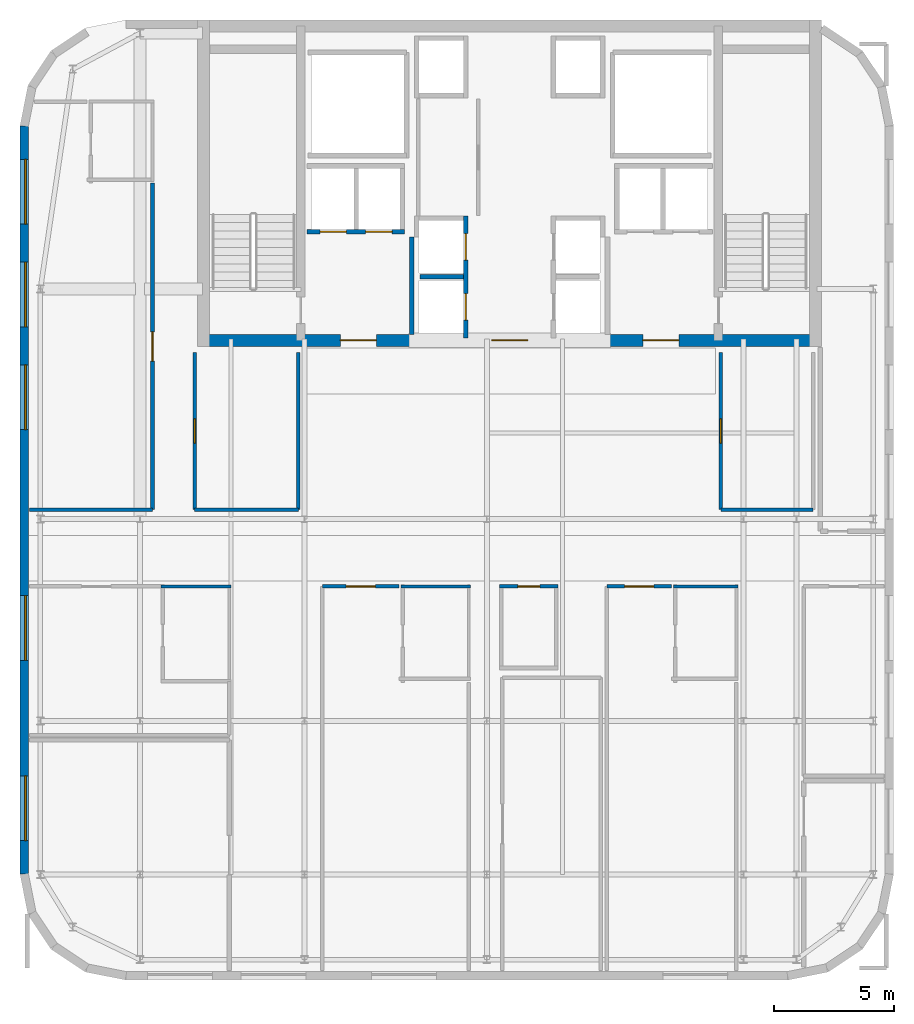
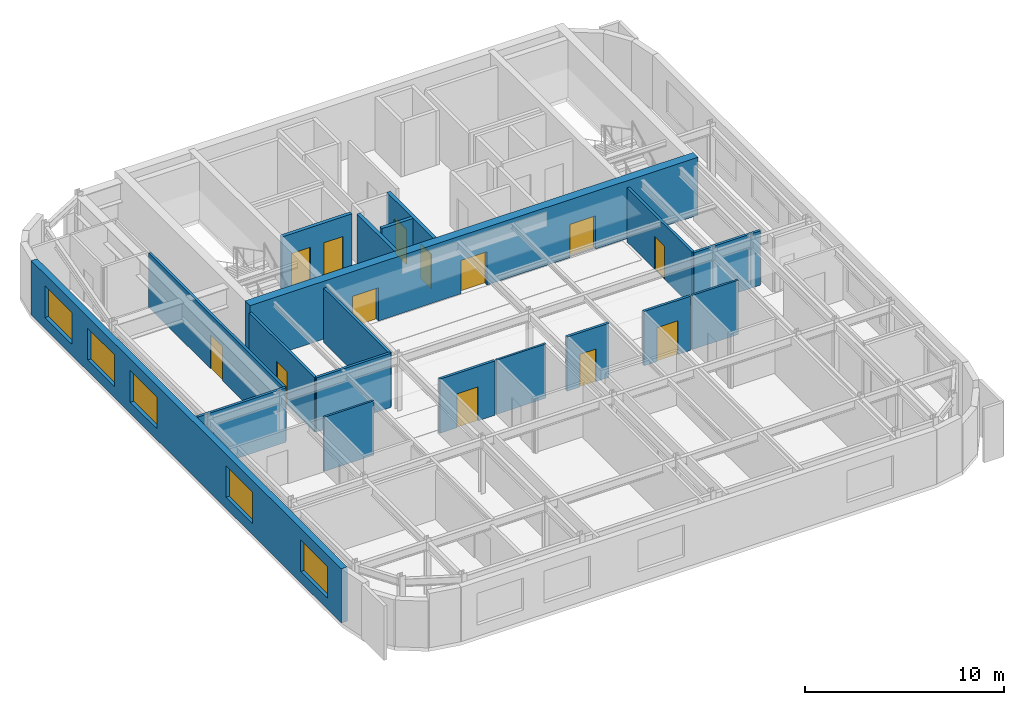
# One storey, part 7 of 12: 19 walls, 13 doors, 5 windows, 18 openings.
"""IFC4 building model written with IfcOpenShell, lengths in metres."""

from ifc_helpers import new_model, si_unit, direction, frame, frame_2d, origin, place, context, subcontext, project, spatial, rectangle, extrude, source, transform, mapped, material, layer, layer_set, type_object, type_shapes, element, fill, save


model = new_model("IFC4")

# Units and contexts
model_context = context("Model", 3, precision=1e-05, world=origin(), true_north=direction((0.0, 1.0)))
body_context = subcontext(model_context, "Body", "Model", "MODEL_VIEW")
ifc_project = project(units=[si_unit("LENGTHUNIT", "METRE"), si_unit("AREAUNIT", "SQUARE_METRE"), si_unit("VOLUMEUNIT", "CUBIC_METRE"), si_unit("PLANEANGLEUNIT", "RADIAN"), si_unit("MASSUNIT", "GRAM", prefix="KILO")], contexts=[model_context])

# Site, building, storey
site_placement = place(None, origin())
site = spatial("IfcSite", under=ifc_project, at=site_placement, CompositionType="ELEMENT")
building_placement = place(site_placement, origin())
building = spatial("IfcBuilding", under=site, at=building_placement, Name="Tolvann Quenvar Hotel", CompositionType="ELEMENT")
storey_placement = place(building_placement, frame((0.0, 0.0, 275.050048828125)))
storey = spatial("IfcBuildingStorey", under=building, at=storey_placement, Name="L73", CompositionType="ELEMENT", Elevation=275.050048828125)

# Wall, openings, doors
ifc_material_1 = material(Name="Concrete N50 (50 MPa)", Category="concrete")
ifc_layer_1 = layer(ifc_material_1, 0.5)
ifc_layer_set_1 = layer_set([ifc_layer_1], Name="Concrete N50 (50 MPa)")
wall_type_1 = type_object("IfcWallType", Name="WALL_CORE_500", PredefinedType="SHEAR", material=ifc_layer_set_1)
wall_1_placement = place(storey_placement, frame((10.0, 31.85009765625, 0.0), z_axis=(0.0, 0.0, 1.0), x_axis=(1.0, 0.0, 0.0)))
wall_1 = element("IfcWall", 1, at=wall_1_placement, inside=storey, type_object=wall_type_1, Name="Rear Core S Shear Wall (L73)", PredefinedType="SHEAR", context=body_context, shape_type="SweptSolid", body=[
    extrude(rectangle(XDim=26.0, YDim=0.5, at=frame_2d((13.0, 0.0))), origin(), (0.0, 0.0, 1.0), 3.550048828125),
])
opening_1_placement = place(wall_1_placement, frame((7.449951171875, 0.0, 0.0), z_axis=(0.0, 0.0, 1.0), x_axis=(-1.0, 0.0, 0.0)))
opening_1 = element("IfcOpeningElement", 2, at=opening_1_placement, cuts=wall_1, Name="Opening FD-60D", PredefinedType="OPENING", context=body_context, shape_type="SweptSolid", body=[
    extrude(rectangle(XDim=1.5, YDim=2.0400390625, at=frame_2d((0.75, 1.02001953125))), frame((0.0, 0.260009765625, 0.0), z_axis=(0.0, -1.0, 0.0), x_axis=(1.0, 0.0, 0.0)), (0.0, 0.0, 1.0), 0.52001953125),
])
opening_2_placement = place(wall_1_placement, frame((13.75, 0.0, 0.0), z_axis=(0.0, 0.0, 1.0), x_axis=(-1.0, 0.0, 0.0)))
opening_2 = element("IfcOpeningElement", 3, at=opening_2_placement, cuts=wall_1, Name="Opening FD-60D", PredefinedType="OPENING", context=body_context, shape_type="SweptSolid", body=[
    extrude(rectangle(XDim=1.5, YDim=2.0400390625, at=frame_2d((0.75, 1.02001953125))), frame((0.0, 0.260009765625, 0.0), z_axis=(0.0, -1.0, 0.0), x_axis=(1.0, 0.0, 0.0)), (0.0, 0.0, 1.0), 0.52001953125),
])
opening_3_placement = place(wall_1_placement, frame((20.050048828125, 0.0, 0.0), z_axis=(0.0, 0.0, 1.0), x_axis=(-1.0, 0.0, 0.0)))
opening_3 = element("IfcOpeningElement", 4, at=opening_3_placement, cuts=wall_1, Name="Opening FD-60D", PredefinedType="OPENING", context=body_context, shape_type="SweptSolid", body=[
    extrude(rectangle(XDim=1.5, YDim=2.0400390625, at=frame_2d((0.75, 1.02001953125))), frame((0.0, 0.260009765625, 0.0), z_axis=(0.0, -1.0, 0.0), x_axis=(1.0, 0.0, 0.0)), (0.0, 0.0, 1.0), 0.52001953125),
])
ifc_material_2 = material(Name="Solid-core American oak acoustic fire door leaf in steel frame", Category="steel")
door_type_1 = type_object("IfcDoorType", Name="DOOR_FIRE_LOBBY_1500", OperationType="NOTDEFINED", PredefinedType="DOOR", material=ifc_material_2)
shared_shape_1 = source(origin(), body_context, "Body", "SweptSolid", [
    extrude(rectangle(XDim=1.5, YDim=2.0400390625, at=frame_2d((0.75, 1.02001953125))), frame((0.0, 0.02490234375, 0.0), z_axis=(0.0, -1.0, 0.0), x_axis=(1.0, 0.0, 0.0)), (0.0, 0.0, 1.0), 0.050048828125),
])
type_shapes(door_type_1, [shared_shape_1])
door_1_placement = place(opening_1_placement, origin())
door_1 = element("IfcDoor", 5, at=door_1_placement, inside=storey, type_object=door_type_1, Name="Core Lobby Fire Door FFW (L73)", OperationType="DOUBLE_DOOR_SINGLE_SWING", OverallHeight=2.0400390625, OverallWidth=1.5, PredefinedType="DOOR", context=body_context, shape_type="MappedRepresentation", body=[
    mapped(shared_shape_1, transform((0.0, 0.0, 0.0), x_axis=(1.0, 0.0, 0.0), y_axis=(0.0, 1.0, 0.0), z_axis=(0.0, 0.0, 1.0), scale=1.0)),
])
fill(opening_1, door_1)
door_2_placement = place(opening_2_placement, origin())
door_2 = element("IfcDoor", 6, at=door_2_placement, inside=storey, type_object=door_type_1, Name="Core Lobby Fire Door CLOB (L73)", OperationType="DOUBLE_DOOR_SINGLE_SWING", OverallHeight=2.0400390625, OverallWidth=1.5, PredefinedType="DOOR", context=body_context, shape_type="MappedRepresentation", body=[
    mapped(shared_shape_1, transform((0.0, 0.0, 0.0), x_axis=(1.0, 0.0, 0.0), y_axis=(0.0, 1.0, 0.0), z_axis=(0.0, 0.0, 1.0), scale=1.0)),
])
fill(opening_2, door_2)
door_3_placement = place(opening_3_placement, origin())
door_3 = element("IfcDoor", 7, at=door_3_placement, inside=storey, type_object=door_type_1, Name="Core Lobby Fire Door FFE (L73)", OperationType="DOUBLE_DOOR_SINGLE_SWING", OverallHeight=2.0400390625, OverallWidth=1.5, PredefinedType="DOOR", context=body_context, shape_type="MappedRepresentation", body=[
    mapped(shared_shape_1, transform((0.0, 0.0, 0.0), x_axis=(1.0, 0.0, 0.0), y_axis=(0.0, 1.0, 0.0), z_axis=(0.0, 0.0, 1.0), scale=1.0)),
])
fill(opening_3, door_3)

# Wall, openings, windows
ifc_material_3 = material(Name="Kiln-fired red and buff architectural clay brickwork and terracotta masonry", Category="masonry")
ifc_layer_2 = layer(ifc_material_3, 0.35009765625)
ifc_layer_set_2 = layer_set([ifc_layer_2], Name="Kiln-fired red and buff architectural clay brickwork and terracotta masonry")
wall_type_2 = type_object("IfcWallType", Name="WALL_EXT_BRICK_350", PredefinedType="SOLIDWALL", material=ifc_layer_set_2)
wall_2_placement = place(storey_placement, frame((2.77490234375, 40.78271484375, 0.0), z_axis=(0.0, 0.0, 1.0), x_axis=(0.0, -1.0, 0.0)))
wall_2 = element("IfcWall", 8, at=wall_2_placement, inside=storey, type_object=wall_type_2, Name="Exterior Chicago Brick Wall L73-E19", PredefinedType="SOLIDWALL", context=body_context, shape_type="SweptSolid", body=[
    extrude(rectangle(XDim=31.16552734375, YDim=0.35009765625, at=frame_2d((15.582763671875, 0.0))), origin(), (0.0, 0.0, 1.0), 3.329833984375),
])
opening_4_placement = place(wall_2_placement, frame((1.389892578125, 0.0, 0.679931640625)))
opening_4 = element("IfcOpeningElement", 9, at=opening_4_placement, cuts=wall_2, Name="Opening W-04", PredefinedType="OPENING", context=body_context, shape_type="SweptSolid", body=[
    extrude(rectangle(XDim=2.699951171875, YDim=1.949951171875, at=frame_2d((1.35009765625, 0.97509765625))), frame((0.0, 0.18505859375, 0.0), z_axis=(0.0, -1.0, 0.0), x_axis=(1.0, 0.0, 0.0)), (0.0, 0.0, 1.0), 0.3701171875),
])
opening_5_placement = place(wall_2_placement, frame((5.6708984375, 0.0, 0.679931640625)))
opening_5 = element("IfcOpeningElement", 10, at=opening_5_placement, cuts=wall_2, Name="Opening W-04", PredefinedType="OPENING", context=body_context, shape_type="SweptSolid", body=[
    extrude(rectangle(XDim=2.699951171875, YDim=1.949951171875, at=frame_2d((1.35009765625, 0.97509765625))), frame((0.0, 0.18505859375, 0.0), z_axis=(0.0, -1.0, 0.0), x_axis=(1.0, 0.0, 0.0)), (0.0, 0.0, 1.0), 0.3701171875),
])
opening_6_placement = place(wall_2_placement, frame((9.951904296875, 0.0, 0.679931640625)))
opening_6 = element("IfcOpeningElement", 11, at=opening_6_placement, cuts=wall_2, Name="Opening W-04", PredefinedType="OPENING", context=body_context, shape_type="SweptSolid", body=[
    extrude(rectangle(XDim=2.699951171875, YDim=1.949951171875, at=frame_2d((1.35009765625, 0.97509765625))), frame((0.0, 0.18505859375, 0.0), z_axis=(0.0, -1.0, 0.0), x_axis=(1.0, 0.0, 0.0)), (0.0, 0.0, 1.0), 0.3701171875),
])
opening_7_placement = place(wall_2_placement, frame((19.56396484375, 0.0, 0.679931640625)))
opening_7 = element("IfcOpeningElement", 12, at=opening_7_placement, cuts=wall_2, Name="Opening W-04", PredefinedType="OPENING", context=body_context, shape_type="SweptSolid", body=[
    extrude(rectangle(XDim=2.699951171875, YDim=1.949951171875, at=frame_2d((1.35009765625, 0.97509765625))), frame((0.0, 0.18505859375, 0.0), z_axis=(0.0, -1.0, 0.0), x_axis=(1.0, 0.0, 0.0)), (0.0, 0.0, 1.0), 0.3701171875),
])
opening_8_placement = place(wall_2_placement, frame((27.074951171875, 0.0, 0.679931640625)))
opening_8 = element("IfcOpeningElement", 13, at=opening_8_placement, cuts=wall_2, Name="Opening W-04", PredefinedType="OPENING", context=body_context, shape_type="SweptSolid", body=[
    extrude(rectangle(XDim=2.699951171875, YDim=1.949951171875, at=frame_2d((1.35009765625, 0.97509765625))), frame((0.0, 0.18505859375, 0.0), z_axis=(0.0, -1.0, 0.0), x_axis=(1.0, 0.0, 0.0)), (0.0, 0.0, 1.0), 0.3701171875),
])
ifc_material_4 = material(Name="Thermally broken bronze-anodised aluminium frame with double low-E glazing", Category="aluminium")
window_type = type_object("IfcWindowType", Name="WIN_STE_2700x2150", PartitioningType="TRIPLE_PANEL_HORIZONTAL", PredefinedType="WINDOW", material=ifc_material_4)
shared_shape_2 = source(origin(), body_context, "Body", "SweptSolid", [
    extrude(rectangle(XDim=2.699951171875, YDim=1.949951171875, at=frame_2d((1.35009765625, 0.97509765625))), frame((0.0, 0.090087890625, 0.0), z_axis=(0.0, -1.0, 0.0), x_axis=(1.0, 0.0, 0.0)), (0.0, 0.0, 1.0), 0.06005859375),
])
type_shapes(window_type, [shared_shape_2])
window_1_placement = place(opening_4_placement, origin())
window_1 = element("IfcWindow", 14, at=window_1_placement, inside=storey, type_object=window_type, Name="Chicago Window W-04 (EW-L73-E19-W01)", OverallHeight=1.949951171875, OverallWidth=2.699951171875, PartitioningType="TRIPLE_PANEL_HORIZONTAL", PredefinedType="WINDOW", context=body_context, shape_type="MappedRepresentation", body=[
    mapped(shared_shape_2, transform((0.0, 0.0, 0.0), x_axis=(1.0, 0.0, 0.0), y_axis=(0.0, 1.0, 0.0), z_axis=(0.0, 0.0, 1.0), scale=1.0)),
])
fill(opening_4, window_1)
window_2_placement = place(opening_5_placement, origin())
window_2 = element("IfcWindow", 15, at=window_2_placement, inside=storey, type_object=window_type, Name="Chicago Window W-04 (EW-L73-E19-W02)", OverallHeight=1.949951171875, OverallWidth=2.699951171875, PartitioningType="TRIPLE_PANEL_HORIZONTAL", PredefinedType="WINDOW", context=body_context, shape_type="MappedRepresentation", body=[
    mapped(shared_shape_2, transform((0.0, 0.0, 0.0), x_axis=(1.0, 0.0, 0.0), y_axis=(0.0, 1.0, 0.0), z_axis=(0.0, 0.0, 1.0), scale=1.0)),
])
fill(opening_5, window_2)
window_3_placement = place(opening_6_placement, origin())
window_3 = element("IfcWindow", 16, at=window_3_placement, inside=storey, type_object=window_type, Name="Chicago Window W-04 (EW-L73-E19-W03)", OverallHeight=1.949951171875, OverallWidth=2.699951171875, PartitioningType="TRIPLE_PANEL_HORIZONTAL", PredefinedType="WINDOW", context=body_context, shape_type="MappedRepresentation", body=[
    mapped(shared_shape_2, transform((0.0, 0.0, 0.0), x_axis=(1.0, 0.0, 0.0), y_axis=(0.0, 1.0, 0.0), z_axis=(0.0, 0.0, 1.0), scale=1.0)),
])
fill(opening_6, window_3)
window_4_placement = place(opening_7_placement, origin())
window_4 = element("IfcWindow", 17, at=window_4_placement, inside=storey, type_object=window_type, Name="Chicago Window W-04 (EW-L73-E19-W04)", OverallHeight=1.949951171875, OverallWidth=2.699951171875, PartitioningType="TRIPLE_PANEL_HORIZONTAL", PredefinedType="WINDOW", context=body_context, shape_type="MappedRepresentation", body=[
    mapped(shared_shape_2, transform((0.0, 0.0, 0.0), x_axis=(1.0, 0.0, 0.0), y_axis=(0.0, 1.0, 0.0), z_axis=(0.0, 0.0, 1.0), scale=1.0)),
])
fill(opening_7, window_4)
window_5_placement = place(opening_8_placement, origin())
window_5 = element("IfcWindow", 18, at=window_5_placement, inside=storey, type_object=window_type, Name="Chicago Window W-04 (EW-L73-E19-W05)", OverallHeight=1.949951171875, OverallWidth=2.699951171875, PartitioningType="TRIPLE_PANEL_HORIZONTAL", PredefinedType="WINDOW", context=body_context, shape_type="MappedRepresentation", body=[
    mapped(shared_shape_2, transform((0.0, 0.0, 0.0), x_axis=(1.0, 0.0, 0.0), y_axis=(0.0, 1.0, 0.0), z_axis=(0.0, 0.0, 1.0), scale=1.0)),
])
fill(opening_8, window_5)

# Walls
ifc_material_5 = material(Name="Moisture-resistant acoustic plumbing wall assembly")
ifc_layer_3 = layer(ifc_material_5, 0.1201171875)
ifc_layer_set_3 = layer_set([ifc_layer_3], Name="Moisture-resistant acoustic plumbing wall assembly")
wall_type_3 = type_object("IfcWallType", Name="WALL_PART_BATH_120", PredefinedType="PLUMBINGWALL", material=ifc_layer_set_3)
wall_3_placement = place(storey_placement, frame((8.47998046875, 21.60009765625, 0.0), z_axis=(0.0, 0.0, 1.0), x_axis=(1.0, 0.0, 0.0)))
element("IfcWall", 19, at=wall_3_placement, inside=storey, type_object=wall_type_3, Name="Non-Rated Plumbing Partition PT-SPC-L73-PSW-ENS-N", PredefinedType="PLUMBINGWALL", context=body_context, shape_type="SweptSolid", body=[
    extrude(rectangle(XDim=2.909912109375, YDim=0.1201171875, at=frame_2d((1.455078125, 0.0))), origin(), (0.0, 0.0, 1.0), 3.329833984375),
])
wall_4_placement = place(storey_placement, frame((18.47998046875, 21.60009765625, 0.0), z_axis=(0.0, 0.0, 1.0), x_axis=(1.0, 0.0, 0.0)))
element("IfcWall", 20, at=wall_4_placement, inside=storey, type_object=wall_type_3, Name="Non-Rated Plumbing Partition PT-SPC-L73-PRC-ENS-N", PredefinedType="PLUMBINGWALL", context=body_context, shape_type="SweptSolid", body=[
    extrude(rectangle(XDim=2.89013671875, YDim=0.1201171875, at=frame_2d((1.445068359375, 0.0))), origin(), (0.0, 0.0, 1.0), 3.329833984375),
])
wall_5_placement = place(storey_placement, frame((29.830078125, 21.60009765625, 0.0), z_axis=(0.0, 0.0, 1.0), x_axis=(1.0, 0.0, 0.0)))
element("IfcWall", 21, at=wall_5_placement, inside=storey, type_object=wall_type_3, Name="Non-Rated Plumbing Partition PT-SPC-L73-PSE-ENS-N", PredefinedType="PLUMBINGWALL", context=body_context, shape_type="SweptSolid", body=[
    extrude(rectangle(XDim=2.68994140625, YDim=0.1201171875, at=frame_2d((1.344970703125, 0.0))), origin(), (0.0, 0.0, 1.0), 3.329833984375),
])

# Wall, opening, door
ifc_material_6 = material(Name="Acoustic twin-stud fire-rated gypsum plasterboard partition")
ifc_layer_4 = layer(ifc_material_6, 0.14990234375)
ifc_layer_set_4 = layer_set([ifc_layer_4], Name="Acoustic twin-stud fire-rated gypsum plasterboard partition")
wall_type_4 = type_object("IfcWallType", Name="WALL_PART_SUITE_150", PredefinedType="PARTITIONING", material=ifc_layer_set_4)
wall_6_placement = place(storey_placement, frame((15.199951171875, 21.60009765625, 0.0), z_axis=(0.0, 0.0, 1.0), x_axis=(1.0, 0.0, 0.0)))
wall_6 = element("IfcWall", 22, at=wall_6_placement, inside=storey, type_object=wall_type_4, Name="Interior Partition PT-SPC-L73-PRC-LIV-ENT", PredefinedType="PARTITIONING", context=body_context, shape_type="SweptSolid", body=[
    extrude(rectangle(XDim=3.199951171875, YDim=0.14990234375, at=frame_2d((1.60009765625, 0.0))), origin(), (0.0, 0.0, 1.0), 3.329833984375),
])
opening_9_placement = place(wall_6_placement, frame((0.989990234375, 0.0, 0.0)))
opening_9 = element("IfcOpeningElement", 23, at=opening_9_placement, cuts=wall_6, Name="Opening SD-02", PredefinedType="OPENING", context=body_context, shape_type="SweptSolid", body=[
    extrude(rectangle(XDim=1.219970703125, YDim=2.080078125, at=frame_2d((0.60986328125, 1.0400390625))), frame((0.0, 0.0849609375, 0.0), z_axis=(0.0, -1.0, 0.0), x_axis=(1.0, 0.0, 0.0)), (0.0, 0.0, 1.0), 0.169921875),
])
door_type_2 = type_object("IfcDoorType", Name="DOOR_VIP_1220", OperationType="NOTDEFINED", PredefinedType="DOOR", material=ifc_material_2)
shared_shape_3 = source(origin(), body_context, "Body", "SweptSolid", [
    extrude(rectangle(XDim=1.219970703125, YDim=2.080078125, at=frame_2d((0.60986328125, 1.0400390625))), frame((0.0, 0.02490234375, 0.0), z_axis=(0.0, -1.0, 0.0), x_axis=(1.0, 0.0, 0.0)), (0.0, 0.0, 1.0), 0.050048828125),
])
type_shapes(door_type_2, [shared_shape_3])
door_4_placement = place(opening_9_placement, origin())
door_4 = element("IfcDoor", 24, at=door_4_placement, inside=storey, type_object=door_type_2, Name="Interior Door DOOR-SPC-L73-PRC-LIV", OperationType="SINGLE_SWING_LEFT", OverallHeight=2.080078125, OverallWidth=1.219970703125, PredefinedType="DOOR", context=body_context, shape_type="MappedRepresentation", body=[
    mapped(shared_shape_3, transform((0.0, 0.0, 0.0), x_axis=(1.0, 0.0, 0.0), y_axis=(0.0, 1.0, 0.0), z_axis=(0.0, 0.0, 1.0), scale=1.0)),
])
fill(opening_9, door_4)

wall_7_placement = place(storey_placement, frame((27.050048828125, 21.60009765625, 0.0), z_axis=(0.0, 0.0, 1.0), x_axis=(1.0, 0.0, 0.0)))
wall_7 = element("IfcWall", 25, at=wall_7_placement, inside=storey, type_object=wall_type_4, Name="Interior Partition PT-SPC-L73-PSE-LIV-ENT", PredefinedType="PARTITIONING", context=body_context, shape_type="SweptSolid", body=[
    extrude(rectangle(XDim=2.699951171875, YDim=0.14990234375, at=frame_2d((1.35009765625, 0.0))), origin(), (0.0, 0.0, 1.0), 3.329833984375),
])
opening_10_placement = place(wall_7_placement, frame((0.739990234375, 0.0, 0.0)))
opening_10 = element("IfcOpeningElement", 26, at=opening_10_placement, cuts=wall_7, Name="Opening SD-02", PredefinedType="OPENING", context=body_context, shape_type="SweptSolid", body=[
    extrude(rectangle(XDim=1.219970703125, YDim=2.080078125, at=frame_2d((0.60986328125, 1.0400390625))), frame((0.0, 0.0849609375, 0.0), z_axis=(0.0, -1.0, 0.0), x_axis=(1.0, 0.0, 0.0)), (0.0, 0.0, 1.0), 0.169921875),
])
door_5_placement = place(opening_10_placement, origin())
door_5 = element("IfcDoor", 27, at=door_5_placement, inside=storey, type_object=door_type_2, Name="Interior Door DOOR-SPC-L73-PSE-LIV", OperationType="SINGLE_SWING_RIGHT", OverallHeight=2.080078125, OverallWidth=1.219970703125, PredefinedType="DOOR", context=body_context, shape_type="MappedRepresentation", body=[
    mapped(shared_shape_3, transform((0.0, 0.0, 0.0), x_axis=(1.0, 0.0, 0.0), y_axis=(0.0, 1.0, 0.0), z_axis=(0.0, 0.0, 1.0), scale=1.0)),
])
fill(opening_10, door_5)

wall_8_placement = place(storey_placement, frame((8.1201171875, 24.800048828125, 0.0), z_axis=(0.0, 0.0, 1.0), x_axis=(0.0, 1.0, 0.0)))
wall_8 = element("IfcWall", 28, at=wall_8_placement, inside=storey, type_object=wall_type_4, Name="Interior Partition PT-SPC-L73-NW-STE-ENT", PredefinedType="PARTITIONING", context=body_context, shape_type="SweptSolid", body=[
    extrude(rectangle(XDim=13.599853515625, YDim=0.14990234375, at=frame_2d((6.7998046875, 0.0))), origin(), (0.0, 0.0, 1.0), 3.329833984375),
])
opening_11_placement = place(wall_8_placement, frame((6.18994140625, 0.0, 0.0)))
opening_11 = element("IfcOpeningElement", 29, at=opening_11_placement, cuts=wall_8, Name="Opening SD-02", PredefinedType="OPENING", context=body_context, shape_type="SweptSolid", body=[
    extrude(rectangle(XDim=1.219970703125, YDim=2.080078125, at=frame_2d((0.60986328125, 1.0400390625))), frame((0.0, 0.0849609375, 0.0), z_axis=(0.0, -1.0, 0.0), x_axis=(1.0, 0.0, 0.0)), (0.0, 0.0, 1.0), 0.169921875),
])
door_6_placement = place(opening_11_placement, origin())
door_6 = element("IfcDoor", 30, at=door_6_placement, inside=storey, type_object=door_type_2, Name="Interior Door DOOR-SPC-L73-NW-STE", OperationType="SINGLE_SWING_RIGHT", OverallHeight=2.080078125, OverallWidth=1.219970703125, PredefinedType="DOOR", context=body_context, shape_type="MappedRepresentation", body=[
    mapped(shared_shape_3, transform((0.0, 0.0, 0.0), x_axis=(1.0, 0.0, 0.0), y_axis=(0.0, 1.0, 0.0), z_axis=(0.0, 0.0, 1.0), scale=1.0)),
])
fill(opening_11, door_6)

# Walls
wall_9_placement = place(storey_placement, frame((3.0048828125, 24.800048828125, 0.0), z_axis=(0.0, 0.0, 1.0), x_axis=(1.0, 0.0, 0.0)))
element("IfcWall", 31, at=wall_9_placement, inside=storey, type_object=wall_type_4, Name="Interior Partition PT-SPC-L73-NW-STE-E1", PredefinedType="PARTITIONING", context=body_context, shape_type="SweptSolid", body=[
    extrude(rectangle(XDim=5.115234375, YDim=0.14990234375, at=frame_2d((2.5576171875, 0.0))), origin(), (0.0, 0.0, 1.0), 3.329833984375),
])
wall_10_placement = place(storey_placement, frame((9.8798828125, 24.800048828125, 0.0), z_axis=(0.0, 0.0, 1.0), x_axis=(1.0, 0.0, 0.0)))
element("IfcWall", 32, at=wall_10_placement, inside=storey, type_object=wall_type_4, Name="Interior Partition PT-SPC-L73-BUTL-S", PredefinedType="PARTITIONING", context=body_context, shape_type="SweptSolid", body=[
    extrude(rectangle(XDim=4.320068359375, YDim=0.14990234375, at=frame_2d((2.16015625, 0.0))), origin(), (0.0, 0.0, 1.0), 3.329833984375),
])

# Wall, opening, door
wall_11_placement = place(storey_placement, frame((9.8798828125, 24.800048828125, 0.0), z_axis=(0.0, 0.0, 1.0), x_axis=(0.0, 1.0, 0.0)))
wall_11 = element("IfcWall", 33, at=wall_11_placement, inside=storey, type_object=wall_type_4, Name="Interior Partition PT-SPC-L73-BUTL-W", PredefinedType="PARTITIONING", context=body_context, shape_type="SweptSolid", body=[
    extrude(rectangle(XDim=6.550048828125, YDim=0.14990234375, at=frame_2d((3.27490234375, 0.0))), origin(), (0.0, 0.0, 1.0), 3.329833984375),
])
opening_12_placement = place(wall_11_placement, frame((2.764892578125, 0.0, 0.0)))
opening_12 = element("IfcOpeningElement", 34, at=opening_12_placement, cuts=wall_11, Name="Opening HD-01", PredefinedType="OPENING", context=body_context, shape_type="SweptSolid", body=[
    extrude(rectangle(XDim=1.02001953125, YDim=2.030029296875, at=frame_2d((0.510009765625, 1.01513671875))), frame((0.0, 0.0849609375, 0.0), z_axis=(0.0, -1.0, 0.0), x_axis=(1.0, 0.0, 0.0)), (0.0, 0.0, 1.0), 0.169921875),
])
ifc_material_7 = material(Name="Pressed galvanised steel fire-rated door set", Category="steel")
door_type_3 = type_object("IfcDoorType", Name="DOOR_BOH_1020", OperationType="NOTDEFINED", PredefinedType="DOOR", material=ifc_material_7)
shared_shape_4 = source(origin(), body_context, "Body", "SweptSolid", [
    extrude(rectangle(XDim=1.02001953125, YDim=2.030029296875, at=frame_2d((0.510009765625, 1.01513671875))), frame((0.0, 0.02490234375, 0.0), z_axis=(0.0, -1.0, 0.0), x_axis=(1.0, 0.0, 0.0)), (0.0, 0.0, 1.0), 0.050048828125),
])
type_shapes(door_type_3, [shared_shape_4])
door_7_placement = place(opening_12_placement, origin())
door_7 = element("IfcDoor", 35, at=door_7_placement, inside=storey, type_object=door_type_3, Name="Interior Door DOOR-SPC-L73-BUTL", OperationType="SINGLE_SWING_LEFT", OverallHeight=2.030029296875, OverallWidth=1.02001953125, PredefinedType="DOOR", context=body_context, shape_type="MappedRepresentation", body=[
    mapped(shared_shape_4, transform((0.0, 0.0, 0.0), x_axis=(1.0, 0.0, 0.0), y_axis=(0.0, 1.0, 0.0), z_axis=(0.0, 0.0, 1.0), scale=1.0)),
])
fill(opening_12, door_7)

# Walls
wall_12_placement = place(storey_placement, frame((14.199951171875, 24.800048828125, 0.0), z_axis=(0.0, 0.0, 1.0), x_axis=(0.0, 1.0, 0.0)))
element("IfcWall", 36, at=wall_12_placement, inside=storey, type_object=wall_type_4, Name="Interior Partition PT-SPC-L73-BUTL-E", PredefinedType="PARTITIONING", context=body_context, shape_type="SweptSolid", body=[
    extrude(rectangle(XDim=6.550048828125, YDim=0.14990234375, at=frame_2d((3.27490234375, 0.0))), origin(), (0.0, 0.0, 1.0), 3.329833984375),
])
wall_13_placement = place(storey_placement, frame((31.800048828125, 24.800048828125, 0.0), z_axis=(0.0, 0.0, 1.0), x_axis=(1.0, 0.0, 0.0)))
element("IfcWall", 37, at=wall_13_placement, inside=storey, type_object=wall_type_4, Name="Interior Partition PT-SPC-L73-HSK-S", PredefinedType="PARTITIONING", context=body_context, shape_type="SweptSolid", body=[
    extrude(rectangle(XDim=3.849853515625, YDim=0.14990234375, at=frame_2d((1.9248046875, 0.0))), origin(), (0.0, 0.0, 1.0), 3.329833984375),
])

# Wall, opening, door
wall_14_placement = place(storey_placement, frame((31.800048828125, 24.800048828125, 0.0), z_axis=(0.0, 0.0, 1.0), x_axis=(0.0, 1.0, 0.0)))
wall_14 = element("IfcWall", 38, at=wall_14_placement, inside=storey, type_object=wall_type_4, Name="Interior Partition PT-SPC-L73-HSK-W", PredefinedType="PARTITIONING", context=body_context, shape_type="SweptSolid", body=[
    extrude(rectangle(XDim=6.550048828125, YDim=0.14990234375, at=frame_2d((3.27490234375, 0.0))), origin(), (0.0, 0.0, 1.0), 3.329833984375),
])
opening_13_placement = place(wall_14_placement, frame((2.764892578125, 0.0, 0.0)))
opening_13 = element("IfcOpeningElement", 39, at=opening_13_placement, cuts=wall_14, Name="Opening HD-01", PredefinedType="OPENING", context=body_context, shape_type="SweptSolid", body=[
    extrude(rectangle(XDim=1.02001953125, YDim=2.030029296875, at=frame_2d((0.510009765625, 1.01513671875))), frame((0.0, 0.0849609375, 0.0), z_axis=(0.0, -1.0, 0.0), x_axis=(1.0, 0.0, 0.0)), (0.0, 0.0, 1.0), 0.169921875),
])
door_8_placement = place(opening_13_placement, origin())
door_8 = element("IfcDoor", 40, at=door_8_placement, inside=storey, type_object=door_type_3, Name="Interior Door DOOR-SPC-L73-HSK", OperationType="SINGLE_SWING_RIGHT", OverallHeight=2.030029296875, OverallWidth=1.02001953125, PredefinedType="DOOR", context=body_context, shape_type="MappedRepresentation", body=[
    mapped(shared_shape_4, transform((0.0, 0.0, 0.0), x_axis=(1.0, 0.0, 0.0), y_axis=(0.0, 1.0, 0.0), z_axis=(0.0, 0.0, 1.0), scale=1.0)),
])
fill(opening_13, door_8)

wall_15_placement = place(storey_placement, frame((22.580078125, 21.60009765625, 0.0), z_axis=(0.0, 0.0, 1.0), x_axis=(1.0, 0.0, 0.0)))
wall_15 = element("IfcWall", 41, at=wall_15_placement, inside=storey, type_object=wall_type_4, Name="Interior Partition PT-SPC-L73-WCA-N", PredefinedType="PARTITIONING", context=body_context, shape_type="SweptSolid", body=[
    extrude(rectangle(XDim=2.43994140625, YDim=0.14990234375, at=frame_2d((1.219970703125, 0.0))), origin(), (0.0, 0.0, 1.0), 3.329833984375),
])
opening_14_placement = place(wall_15_placement, frame((0.760009765625, 0.0, 0.0)))
opening_14 = element("IfcOpeningElement", 42, at=opening_14_placement, cuts=wall_15, Name="Opening WD-01", PredefinedType="OPENING", context=body_context, shape_type="SweptSolid", body=[
    extrude(rectangle(XDim=0.919921875, YDim=2.010009765625, at=frame_2d((0.4599609375, 1.0048828125))), frame((0.0, 0.0849609375, 0.0), z_axis=(0.0, -1.0, 0.0), x_axis=(1.0, 0.0, 0.0)), (0.0, 0.0, 1.0), 0.169921875),
])
door_type_4 = type_object("IfcDoorType", Name="DOOR_WC_920", OperationType="NOTDEFINED", PredefinedType="DOOR", material=ifc_material_2)
shared_shape_5 = source(origin(), body_context, "Body", "SweptSolid", [
    extrude(rectangle(XDim=0.919921875, YDim=2.010009765625, at=frame_2d((0.4599609375, 1.0048828125))), frame((0.0, 0.02490234375, 0.0), z_axis=(0.0, -1.0, 0.0), x_axis=(1.0, 0.0, 0.0)), (0.0, 0.0, 1.0), 0.050048828125),
])
type_shapes(door_type_4, [shared_shape_5])
door_9_placement = place(opening_14_placement, origin())
door_9 = element("IfcDoor", 43, at=door_9_placement, inside=storey, type_object=door_type_4, Name="Interior Door DOOR-SPC-L73-WCA", OperationType="SINGLE_SWING_LEFT", OverallHeight=2.010009765625, OverallWidth=0.919921875, PredefinedType="DOOR", context=body_context, shape_type="MappedRepresentation", body=[
    mapped(shared_shape_5, transform((0.0, 0.0, 0.0), x_axis=(1.0, 0.0, 0.0), y_axis=(0.0, 1.0, 0.0), z_axis=(0.0, 0.0, 1.0), scale=1.0)),
])
fill(opening_14, door_9)

# Wall
ifc_material_8 = material(Name="Concrete N40 (40 MPa)", Category="concrete")
ifc_layer_5 = layer(ifc_material_8, 0.199951171875)
ifc_layer_set_5 = layer_set([ifc_layer_5], Name="Concrete N40 (40 MPa)")
wall_type_5 = type_object("IfcWallType", Name="WALL_SHAFT_200", PredefinedType="SOLIDWALL", material=ifc_layer_set_5)
wall_16_placement = place(storey_placement, frame((18.919921875, 32.10400390625, 0.0), z_axis=(0.0, 0.0, 1.0), x_axis=(0.0, 1.0, 0.0)))
element("IfcWall", 44, at=wall_16_placement, inside=storey, type_object=wall_type_5, Name="Firefighting Lobby W Inner Fire Wall (L73)", PredefinedType="SOLIDWALL", context=body_context, shape_type="SweptSolid", body=[
    extrude(rectangle(XDim=4.0458984375, YDim=0.199951171875, at=frame_2d((2.02294921875, 0.0))), origin(), (0.0, 0.0, 1.0), 3.329833984375),
])

# Wall, openings, doors
wall_17_placement = place(storey_placement, frame((21.169921875, 31.9599609375, 0.0), z_axis=(0.0, 0.0, 1.0), x_axis=(0.0, 1.0, 0.0)))
wall_17 = element("IfcWall", 45, at=wall_17_placement, inside=storey, type_object=wall_type_5, Name="Lift Bank E21.1C1 Hoistway Front Wall (L73)", PredefinedType="SOLIDWALL", context=body_context, shape_type="SweptSolid", body=[
    extrude(rectangle(XDim=5.080078125, YDim=0.199951171875, at=frame_2d((2.5400390625, 0.0))), origin(), (0.0, 0.0, 1.0), 3.329833984375),
])
opening_15_placement = place(wall_17_placement, frame((0.739990234375, 0.0, 0.0)))
opening_15 = element("IfcOpeningElement", 46, at=opening_15_placement, cuts=wall_17, Name="Opening LD-01", PredefinedType="OPENING", context=body_context, shape_type="SweptSolid", body=[
    extrude(rectangle(XDim=1.10009765625, YDim=2.1201171875, at=frame_2d((0.550048828125, 1.06005859375))), frame((0.0, 0.10986328125, 0.0), z_axis=(0.0, -1.0, 0.0), x_axis=(1.0, 0.0, 0.0)), (0.0, 0.0, 1.0), 0.219970703125),
])
opening_16_placement = place(wall_17_placement, frame((3.239990234375, 0.0, 0.0)))
opening_16 = element("IfcOpeningElement", 47, at=opening_16_placement, cuts=wall_17, Name="Opening LD-01", PredefinedType="OPENING", context=body_context, shape_type="SweptSolid", body=[
    extrude(rectangle(XDim=1.10009765625, YDim=2.1201171875, at=frame_2d((0.550048828125, 1.06005859375))), frame((0.0, 0.10986328125, 0.0), z_axis=(0.0, -1.0, 0.0), x_axis=(1.0, 0.0, 0.0)), (0.0, 0.0, 1.0), 0.219970703125),
])
ifc_material_9 = material(Name="Brushed 316 stainless steel automatic sliding lift landing door", Category="steel")
door_type_5 = type_object("IfcDoorType", Name="DOOR_LIFT_SLIDE_1100", OperationType="NOTDEFINED", PredefinedType="DOOR", material=ifc_material_9)
shared_shape_6 = source(origin(), body_context, "Body", "SweptSolid", [
    extrude(rectangle(XDim=1.10009765625, YDim=2.1201171875, at=frame_2d((0.550048828125, 1.06005859375))), frame((0.0, 0.02490234375, 0.0), z_axis=(0.0, -1.0, 0.0), x_axis=(1.0, 0.0, 0.0)), (0.0, 0.0, 1.0), 0.050048828125),
])
type_shapes(door_type_5, [shared_shape_6])
door_10_placement = place(opening_15_placement, origin())
door_10 = element("IfcDoor", 48, at=door_10_placement, inside=storey, type_object=door_type_5, Name="Lift PH-1 Sliding Landing Door (L73)", OperationType="SLIDING_TO_LEFT", OverallHeight=2.1201171875, OverallWidth=1.10009765625, PredefinedType="DOOR", context=body_context, shape_type="MappedRepresentation", body=[
    mapped(shared_shape_6, transform((0.0, 0.0, 0.0), x_axis=(1.0, 0.0, 0.0), y_axis=(0.0, 1.0, 0.0), z_axis=(0.0, 0.0, 1.0), scale=1.0)),
])
fill(opening_15, door_10)
door_11_placement = place(opening_16_placement, origin())
door_11 = element("IfcDoor", 49, at=door_11_placement, inside=storey, type_object=door_type_5, Name="Lift PH-2 Sliding Landing Door (L73)", OperationType="SLIDING_TO_RIGHT", OverallHeight=2.1201171875, OverallWidth=1.10009765625, PredefinedType="DOOR", context=body_context, shape_type="MappedRepresentation", body=[
    mapped(shared_shape_6, transform((0.0, 0.0, 0.0), x_axis=(1.0, 0.0, 0.0), y_axis=(0.0, 1.0, 0.0), z_axis=(0.0, 0.0, 1.0), scale=1.0)),
])
fill(opening_16, door_11)

# Wall
wall_18_placement = place(storey_placement, frame((19.27001953125, 34.5, 0.0), z_axis=(0.0, 0.0, 1.0), x_axis=(1.0, 0.0, 0.0)))
element("IfcWall", 50, at=wall_18_placement, inside=storey, type_object=wall_type_5, Name="Lift Bank E21.1C1 Divider Wall 1 (L73)", PredefinedType="SOLIDWALL", context=body_context, shape_type="SweptSolid", body=[
    extrude(rectangle(XDim=1.800048828125, YDim=0.199951171875, at=frame_2d((0.89990234375, 0.0))), origin(), (0.0, 0.0, 1.0), 3.329833984375),
])

# Wall, openings, doors
wall_19_placement = place(storey_placement, frame((14.550048828125, 36.3798828125, 0.0), z_axis=(0.0, 0.0, 1.0), x_axis=(1.0, 0.0, 0.0)))
wall_19 = element("IfcWall", 51, at=wall_19_placement, inside=storey, type_object=wall_type_5, Name="Lift Bank SWC1 Hoistway Front Wall (L73)", PredefinedType="SOLIDWALL", context=body_context, shape_type="SweptSolid", body=[
    extrude(rectangle(XDim=4.074951171875, YDim=0.199951171875, at=frame_2d((2.03759765625, 0.0))), origin(), (0.0, 0.0, 1.0), 3.329833984375),
])
opening_17_placement = place(wall_19_placement, frame((0.550048828125, 0.0, 0.0)))
opening_17 = element("IfcOpeningElement", 52, at=opening_17_placement, cuts=wall_19, Name="Opening LD-01", PredefinedType="OPENING", context=body_context, shape_type="SweptSolid", body=[
    extrude(rectangle(XDim=1.10009765625, YDim=2.1201171875, at=frame_2d((0.550048828125, 1.06005859375))), frame((0.0, 0.10986328125, 0.0), z_axis=(0.0, -1.0, 0.0), x_axis=(1.0, 0.0, 0.0)), (0.0, 0.0, 1.0), 0.219970703125),
])
opening_18_placement = place(wall_19_placement, frame((2.449951171875, 0.0, 0.0)))
opening_18 = element("IfcOpeningElement", 53, at=opening_18_placement, cuts=wall_19, Name="Opening LD-01", PredefinedType="OPENING", context=body_context, shape_type="SweptSolid", body=[
    extrude(rectangle(XDim=1.10009765625, YDim=2.1201171875, at=frame_2d((0.550048828125, 1.06005859375))), frame((0.0, 0.10986328125, 0.0), z_axis=(0.0, -1.0, 0.0), x_axis=(1.0, 0.0, 0.0)), (0.0, 0.0, 1.0), 0.219970703125),
])
door_12_placement = place(opening_17_placement, origin())
door_12 = element("IfcDoor", 54, at=door_12_placement, inside=storey, type_object=door_type_5, Name="Lift FF-1 Sliding Landing Door (L73)", OperationType="SLIDING_TO_LEFT", OverallHeight=2.1201171875, OverallWidth=1.10009765625, PredefinedType="DOOR", context=body_context, shape_type="MappedRepresentation", body=[
    mapped(shared_shape_6, transform((0.0, 0.0, 0.0), x_axis=(1.0, 0.0, 0.0), y_axis=(0.0, 1.0, 0.0), z_axis=(0.0, 0.0, 1.0), scale=1.0)),
])
fill(opening_17, door_12)
door_13_placement = place(opening_18_placement, origin())
door_13 = element("IfcDoor", 55, at=door_13_placement, inside=storey, type_object=door_type_5, Name="Lift SV-1 Sliding Landing Door (L73)", OperationType="SLIDING_TO_RIGHT", OverallHeight=2.1201171875, OverallWidth=1.10009765625, PredefinedType="DOOR", context=body_context, shape_type="MappedRepresentation", body=[
    mapped(shared_shape_6, transform((0.0, 0.0, 0.0), x_axis=(1.0, 0.0, 0.0), y_axis=(0.0, 1.0, 0.0), z_axis=(0.0, 0.0, 1.0), scale=1.0)),
])
fill(opening_18, door_13)

save(model, "model.ifc")
